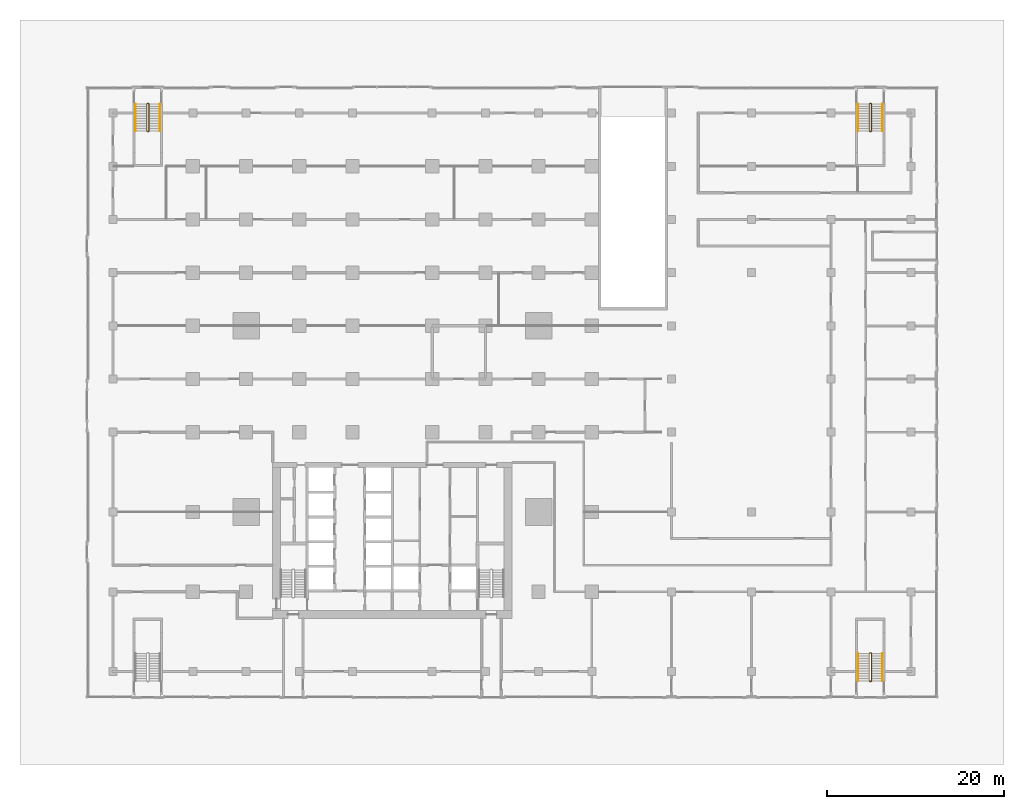
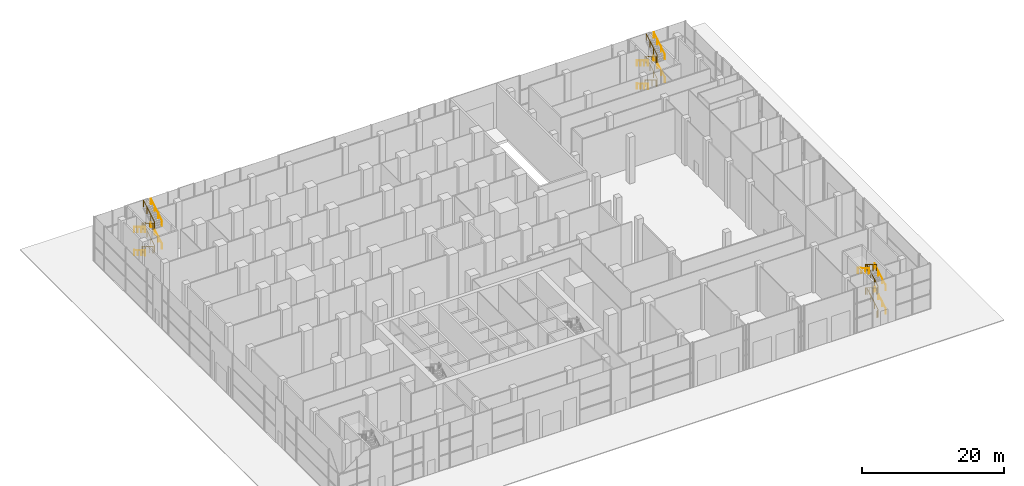
# One storey, part 29 of 29: 14 railings.
"""IFC4 building model written with IfcOpenShell, lengths in metres."""

from ifc_helpers import new_model, si_unit, direction, frame, origin, origin_2d, place, context, subcontext, project, spatial, circle, extrude, material, type_object, element, save


model = new_model("IFC4")

# Units and contexts
model_context = context("Model", 3, precision=1e-05, world=origin(), true_north=direction((0.0, 1.0)))
body_context = subcontext(model_context, "Body", "Model", "MODEL_VIEW")
ifc_project = project(units=[si_unit("LENGTHUNIT", "METRE"), si_unit("AREAUNIT", "SQUARE_METRE"), si_unit("VOLUMEUNIT", "CUBIC_METRE"), si_unit("PLANEANGLEUNIT", "RADIAN"), si_unit("MASSUNIT", "GRAM", prefix="KILO")], contexts=[model_context])

# Site, building, storey
site_placement = place(None, origin())
site = spatial("IfcSite", under=ifc_project, at=site_placement, CompositionType="ELEMENT")
building_placement = place(site_placement, origin())
building = spatial("IfcBuilding", under=site, at=building_placement, Name="Finial Court Residences", CompositionType="ELEMENT")
storey_placement = place(building_placement, origin())
storey = spatial("IfcBuildingStorey", under=building, at=storey_placement, Name="L00", CompositionType="ELEMENT", Elevation=0.0)

# Railings
ifc_material = material(Name="Stainless steel railing", Category="steel")
railing_type_1 = type_object("IfcRailingType", Name="Stair guard 1100", PredefinedType="GUARDRAIL", material=ifc_material)
railing_1_placement = place(storey_placement, frame((54.0, -32.60009765625, 0.0)))
element("IfcRailing", 1, at=railing_1_placement, inside=storey, type_object=railing_type_1, Name="L00 ST-3 stair guard 1", PredefinedType="GUARDRAIL", context=body_context, shape_type="SweptSolid", body=[
    extrude(circle(Radius=0.02392578125, at=origin_2d()), frame((0.0, 0.0, 1.076171875), z_axis=(-1.0, 0.0, 0.0), x_axis=(0.0, -1.0, 0.0)), (0.0, 0.0, 1.0), 0.14990234375),
    extrude(circle(Radius=0.02392578125, at=origin_2d()), frame((-0.14990234375, 0.0, 1.076171875), z_axis=(0.754182335027, 0.188775798145, 0.628945707965), x_axis=(-0.242814311512, 0.970072785993, 0.0)), (0.0, 0.0, 1.0), 0.26513671875),
    extrude(circle(Radius=0.02392578125, at=origin_2d()), frame((0.050048828125, 0.050048828125, 1.24267578125), z_axis=(0.0, 0.859308565015, 0.511457515432), x_axis=(-1.0, 0.0, 0.0)), (0.0, 0.0, 1.0), 3.58447265625),
    extrude(circle(Radius=0.02392578125, at=origin_2d()), frame((0.050048828125, 3.130126953125, 3.076171875), z_axis=(-0.707106781187, 0.707106781187, 0.0), x_axis=(-0.707106781187, -0.707106781187, 0.0)), (0.0, 0.0, 1.0), 0.07080078125),
    extrude(circle(Radius=0.02392578125, at=origin_2d()), frame((0.0, 3.18017578125, 3.076171875), z_axis=(-1.0, 0.0, 0.0), x_axis=(0.0, -1.0, 0.0)), (0.0, 0.0, 1.0), 0.14990234375),
    extrude(circle(Radius=0.02392578125, at=origin_2d()), frame((-0.14990234375, 3.18017578125, 3.076171875), z_axis=(-0.27628659633, -0.27628659633, 0.920506074601), x_axis=(0.707106781187, -0.707106781187, 0.0)), (0.0, 0.0, 1.0), 0.18115234375),
    extrude(circle(Radius=0.02392578125, at=origin_2d()), frame((-0.199951171875, 3.130126953125, 3.24267578125), z_axis=(0.0, -0.859308565015, 0.511457515432), x_axis=(1.0, 0.0, 0.0)), (0.0, 0.0, 1.0), 3.58447265625),
    extrude(circle(Radius=0.02392578125, at=origin_2d()), frame((-0.199951171875, 0.050048828125, 5.076171875), z_axis=(0.970072785993, -0.242814311512, 0.0), x_axis=(0.242814311512, 0.970072785993, 0.0)), (0.0, 0.0, 1.0), 0.2060546875),
    extrude(circle(Radius=0.02392578125, at=origin_2d()), frame((0.0, 0.0, 5.076171875), z_axis=(-1.0, 0.0, 0.0), x_axis=(0.0, -1.0, 0.0)), (0.0, 0.0, 1.0), 0.14990234375),
    extrude(circle(Radius=0.02392578125, at=origin_2d()), frame((-0.14990234375, 0.0, 5.076171875), z_axis=(0.754182335027, 0.188775798145, 0.628945707965), x_axis=(-0.242814311512, 0.970072785993, 0.0)), (0.0, 0.0, 1.0), 0.26513671875),
    extrude(circle(Radius=0.02392578125, at=origin_2d()), frame((0.050048828125, 0.050048828125, 5.24267578125), z_axis=(0.0, 0.859308565015, 0.511457515432), x_axis=(-1.0, 0.0, 0.0)), (0.0, 0.0, 1.0), 3.58447265625),
    extrude(circle(Radius=0.02392578125, at=origin_2d()), frame((0.050048828125, 3.130126953125, 7.076171875), z_axis=(-0.707106781187, 0.707106781187, 0.0), x_axis=(-0.707106781187, -0.707106781187, 0.0)), (0.0, 0.0, 1.0), 0.07080078125),
    extrude(circle(Radius=0.02392578125, at=origin_2d()), frame((0.0, 3.18017578125, 7.076171875), z_axis=(-1.0, 0.0, 0.0), x_axis=(0.0, -1.0, 0.0)), (0.0, 0.0, 1.0), 0.14990234375),
    extrude(circle(Radius=0.02392578125, at=origin_2d()), frame((-0.14990234375, 3.18017578125, 7.076171875), z_axis=(-0.27628659633, -0.27628659633, 0.920506074601), x_axis=(0.707106781187, -0.707106781187, 0.0)), (0.0, 0.0, 1.0), 0.18115234375),
    extrude(circle(Radius=0.02392578125, at=origin_2d()), frame((-0.199951171875, 3.130126953125, 7.24267578125), z_axis=(0.0, -0.859308565015, 0.511457515432), x_axis=(1.0, 0.0, 0.0)), (0.0, 0.0, 1.0), 3.58447265625),
    extrude(circle(Radius=0.02099609375, at=origin_2d()), origin(), (0.0, 0.0, 1.0), 1.052001953125),
    extrude(circle(Radius=0.02099609375, at=origin_2d()), frame((-0.14990234375, 0.0, 0.0)), (0.0, 0.0, 1.0), 1.052001953125),
    extrude(circle(Radius=0.02099609375, at=origin_2d()), frame((0.050048828125, 0.050048828125, 0.166748046875)), (0.0, 0.0, 1.0), 1.052001953125),
    extrude(circle(Radius=0.02099609375, at=origin_2d()), frame((0.050048828125, 1.07666015625, 0.77783203125)), (0.0, 0.0, 1.0), 1.052001953125),
    extrude(circle(Radius=0.02099609375, at=origin_2d()), frame((0.050048828125, 2.103515625, 1.388916015625)), (0.0, 0.0, 1.0), 1.052001953125),
    extrude(circle(Radius=0.02099609375, at=origin_2d()), frame((0.050048828125, 3.130126953125, 2.0)), (0.0, 0.0, 1.0), 1.052001953125),
    extrude(circle(Radius=0.02099609375, at=origin_2d()), frame((0.0, 3.18017578125, 2.0)), (0.0, 0.0, 1.0), 1.052001953125),
    extrude(circle(Radius=0.02099609375, at=origin_2d()), frame((-0.14990234375, 3.18017578125, 2.0)), (0.0, 0.0, 1.0), 1.052001953125),
    extrude(circle(Radius=0.02099609375, at=origin_2d()), frame((-0.199951171875, 3.130126953125, 2.166748046875)), (0.0, 0.0, 1.0), 1.052001953125),
    extrude(circle(Radius=0.02099609375, at=origin_2d()), frame((-0.199951171875, 2.103515625, 2.77783203125)), (0.0, 0.0, 1.0), 1.052001953125),
    extrude(circle(Radius=0.02099609375, at=origin_2d()), frame((-0.199951171875, 1.07666015625, 3.388916015625)), (0.0, 0.0, 1.0), 1.052001953125),
    extrude(circle(Radius=0.02099609375, at=origin_2d()), frame((-0.199951171875, 0.050048828125, 4.0)), (0.0, 0.0, 1.0), 1.052001953125),
    extrude(circle(Radius=0.02099609375, at=origin_2d()), frame((0.0, 0.0, 4.0)), (0.0, 0.0, 1.0), 1.052001953125),
    extrude(circle(Radius=0.02099609375, at=origin_2d()), frame((-0.14990234375, 0.0, 4.0)), (0.0, 0.0, 1.0), 1.052001953125),
    extrude(circle(Radius=0.02099609375, at=origin_2d()), frame((0.050048828125, 0.050048828125, 4.166748046875)), (0.0, 0.0, 1.0), 1.052001953125),
    extrude(circle(Radius=0.02099609375, at=origin_2d()), frame((0.050048828125, 1.07666015625, 4.77783203125)), (0.0, 0.0, 1.0), 1.052001953125),
    extrude(circle(Radius=0.02099609375, at=origin_2d()), frame((0.050048828125, 2.103515625, 5.388916015625)), (0.0, 0.0, 1.0), 1.052001953125),
    extrude(circle(Radius=0.02099609375, at=origin_2d()), frame((0.050048828125, 3.130126953125, 6.0)), (0.0, 0.0, 1.0), 1.052001953125),
    extrude(circle(Radius=0.02099609375, at=origin_2d()), frame((0.0, 3.18017578125, 6.0)), (0.0, 0.0, 1.0), 1.052001953125),
    extrude(circle(Radius=0.02099609375, at=origin_2d()), frame((-0.14990234375, 3.18017578125, 6.0)), (0.0, 0.0, 1.0), 1.052001953125),
    extrude(circle(Radius=0.02099609375, at=origin_2d()), frame((-0.199951171875, 3.130126953125, 6.166748046875)), (0.0, 0.0, 1.0), 1.052001953125),
    extrude(circle(Radius=0.02099609375, at=origin_2d()), frame((-0.199951171875, 2.103515625, 6.77783203125)), (0.0, 0.0, 1.0), 1.052001953125),
    extrude(circle(Radius=0.02099609375, at=origin_2d()), frame((-0.199951171875, 1.07666015625, 7.388916015625)), (0.0, 0.0, 1.0), 1.052001953125),
    extrude(circle(Radius=0.02099609375, at=origin_2d()), frame((-0.199951171875, 0.050048828125, 8.0)), (0.0, 0.0, 1.0), 1.052001953125),
])
railing_2_placement = place(storey_placement, frame((53.85009765625, 32.60009765625, 0.0)))
element("IfcRailing", 2, at=railing_2_placement, inside=storey, type_object=railing_type_1, Name="L00 ST-5 stair guard 1", PredefinedType="GUARDRAIL", context=body_context, shape_type="SweptSolid", body=[
    extrude(circle(Radius=0.02392578125, at=origin_2d()), frame((0.0, 0.0, 1.076171875), z_axis=(1.0, 0.0, 0.0), x_axis=(0.0, 1.0, 0.0)), (0.0, 0.0, 1.0), 0.14990234375),
    extrude(circle(Radius=0.02392578125, at=origin_2d()), frame((0.14990234375, 0.0, 1.076171875), z_axis=(-0.754182335027, -0.188775798145, 0.628945707965), x_axis=(0.242814311512, -0.970072785993, 0.0)), (0.0, 0.0, 1.0), 0.26513671875),
    extrude(circle(Radius=0.02392578125, at=origin_2d()), frame((-0.050048828125, -0.050048828125, 1.24267578125), z_axis=(0.0, -0.859308565015, 0.511457515432), x_axis=(1.0, 0.0, 0.0)), (0.0, 0.0, 1.0), 3.58447265625),
    extrude(circle(Radius=0.02392578125, at=origin_2d()), frame((-0.050048828125, -3.130126953125, 3.076171875), z_axis=(0.707106781187, -0.707106781187, 0.0), x_axis=(0.707106781187, 0.707106781187, 0.0)), (0.0, 0.0, 1.0), 0.07080078125),
    extrude(circle(Radius=0.02392578125, at=origin_2d()), frame((0.0, -3.18017578125, 3.076171875), z_axis=(1.0, 0.0, 0.0), x_axis=(0.0, 1.0, 0.0)), (0.0, 0.0, 1.0), 0.14990234375),
    extrude(circle(Radius=0.02392578125, at=origin_2d()), frame((0.14990234375, -3.18017578125, 3.076171875), z_axis=(0.27628659633, 0.27628659633, 0.920506074601), x_axis=(-0.707106781187, 0.707106781187, 0.0)), (0.0, 0.0, 1.0), 0.18115234375),
    extrude(circle(Radius=0.02392578125, at=origin_2d()), frame((0.199951171875, -3.130126953125, 3.24267578125), z_axis=(0.0, 0.859308565015, 0.511457515432), x_axis=(-1.0, 0.0, 0.0)), (0.0, 0.0, 1.0), 3.58447265625),
    extrude(circle(Radius=0.02392578125, at=origin_2d()), frame((0.199951171875, -0.050048828125, 5.076171875), z_axis=(-0.970072785993, 0.242814311512, 0.0), x_axis=(-0.242814311512, -0.970072785993, 0.0)), (0.0, 0.0, 1.0), 0.2060546875),
    extrude(circle(Radius=0.02392578125, at=origin_2d()), frame((0.0, 0.0, 5.076171875), z_axis=(1.0, 0.0, 0.0), x_axis=(0.0, 1.0, 0.0)), (0.0, 0.0, 1.0), 0.14990234375),
    extrude(circle(Radius=0.02392578125, at=origin_2d()), frame((0.14990234375, 0.0, 5.076171875), z_axis=(-0.754182335027, -0.188775798145, 0.628945707965), x_axis=(0.242814311512, -0.970072785993, 0.0)), (0.0, 0.0, 1.0), 0.26513671875),
    extrude(circle(Radius=0.02392578125, at=origin_2d()), frame((-0.050048828125, -0.050048828125, 5.24267578125), z_axis=(0.0, -0.859308565015, 0.511457515432), x_axis=(1.0, 0.0, 0.0)), (0.0, 0.0, 1.0), 3.58447265625),
    extrude(circle(Radius=0.02392578125, at=origin_2d()), frame((-0.050048828125, -3.130126953125, 7.076171875), z_axis=(0.707106781187, -0.707106781187, 0.0), x_axis=(0.707106781187, 0.707106781187, 0.0)), (0.0, 0.0, 1.0), 0.07080078125),
    extrude(circle(Radius=0.02392578125, at=origin_2d()), frame((0.0, -3.18017578125, 7.076171875), z_axis=(1.0, 0.0, 0.0), x_axis=(0.0, 1.0, 0.0)), (0.0, 0.0, 1.0), 0.14990234375),
    extrude(circle(Radius=0.02392578125, at=origin_2d()), frame((0.14990234375, -3.18017578125, 7.076171875), z_axis=(0.27628659633, 0.27628659633, 0.920506074601), x_axis=(-0.707106781187, 0.707106781187, 0.0)), (0.0, 0.0, 1.0), 0.18115234375),
    extrude(circle(Radius=0.02392578125, at=origin_2d()), frame((0.199951171875, -3.130126953125, 7.24267578125), z_axis=(0.0, 0.859308565015, 0.511457515432), x_axis=(-1.0, 0.0, 0.0)), (0.0, 0.0, 1.0), 3.58447265625),
    extrude(circle(Radius=0.02099609375, at=origin_2d()), origin(), (0.0, 0.0, 1.0), 1.052001953125),
    extrude(circle(Radius=0.02099609375, at=origin_2d()), frame((0.14990234375, 0.0, 0.0)), (0.0, 0.0, 1.0), 1.052001953125),
    extrude(circle(Radius=0.02099609375, at=origin_2d()), frame((-0.050048828125, -0.050048828125, 0.166748046875)), (0.0, 0.0, 1.0), 1.052001953125),
    extrude(circle(Radius=0.02099609375, at=origin_2d()), frame((-0.050048828125, -1.07666015625, 0.77783203125)), (0.0, 0.0, 1.0), 1.052001953125),
    extrude(circle(Radius=0.02099609375, at=origin_2d()), frame((-0.050048828125, -2.103515625, 1.388916015625)), (0.0, 0.0, 1.0), 1.052001953125),
    extrude(circle(Radius=0.02099609375, at=origin_2d()), frame((-0.050048828125, -3.130126953125, 2.0)), (0.0, 0.0, 1.0), 1.052001953125),
    extrude(circle(Radius=0.02099609375, at=origin_2d()), frame((0.0, -3.18017578125, 2.0)), (0.0, 0.0, 1.0), 1.052001953125),
    extrude(circle(Radius=0.02099609375, at=origin_2d()), frame((0.14990234375, -3.18017578125, 2.0)), (0.0, 0.0, 1.0), 1.052001953125),
    extrude(circle(Radius=0.02099609375, at=origin_2d()), frame((0.199951171875, -3.130126953125, 2.166748046875)), (0.0, 0.0, 1.0), 1.052001953125),
    extrude(circle(Radius=0.02099609375, at=origin_2d()), frame((0.199951171875, -2.103515625, 2.77783203125)), (0.0, 0.0, 1.0), 1.052001953125),
    extrude(circle(Radius=0.02099609375, at=origin_2d()), frame((0.199951171875, -1.07666015625, 3.388916015625)), (0.0, 0.0, 1.0), 1.052001953125),
    extrude(circle(Radius=0.02099609375, at=origin_2d()), frame((0.199951171875, -0.050048828125, 4.0)), (0.0, 0.0, 1.0), 1.052001953125),
    extrude(circle(Radius=0.02099609375, at=origin_2d()), frame((0.0, 0.0, 4.0)), (0.0, 0.0, 1.0), 1.052001953125),
    extrude(circle(Radius=0.02099609375, at=origin_2d()), frame((0.14990234375, 0.0, 4.0)), (0.0, 0.0, 1.0), 1.052001953125),
    extrude(circle(Radius=0.02099609375, at=origin_2d()), frame((-0.050048828125, -0.050048828125, 4.166748046875)), (0.0, 0.0, 1.0), 1.052001953125),
    extrude(circle(Radius=0.02099609375, at=origin_2d()), frame((-0.050048828125, -1.07666015625, 4.77783203125)), (0.0, 0.0, 1.0), 1.052001953125),
    extrude(circle(Radius=0.02099609375, at=origin_2d()), frame((-0.050048828125, -2.103515625, 5.388916015625)), (0.0, 0.0, 1.0), 1.052001953125),
    extrude(circle(Radius=0.02099609375, at=origin_2d()), frame((-0.050048828125, -3.130126953125, 6.0)), (0.0, 0.0, 1.0), 1.052001953125),
    extrude(circle(Radius=0.02099609375, at=origin_2d()), frame((0.0, -3.18017578125, 6.0)), (0.0, 0.0, 1.0), 1.052001953125),
    extrude(circle(Radius=0.02099609375, at=origin_2d()), frame((0.14990234375, -3.18017578125, 6.0)), (0.0, 0.0, 1.0), 1.052001953125),
    extrude(circle(Radius=0.02099609375, at=origin_2d()), frame((0.199951171875, -3.130126953125, 6.166748046875)), (0.0, 0.0, 1.0), 1.052001953125),
    extrude(circle(Radius=0.02099609375, at=origin_2d()), frame((0.199951171875, -2.103515625, 6.77783203125)), (0.0, 0.0, 1.0), 1.052001953125),
    extrude(circle(Radius=0.02099609375, at=origin_2d()), frame((0.199951171875, -1.07666015625, 7.388916015625)), (0.0, 0.0, 1.0), 1.052001953125),
    extrude(circle(Radius=0.02099609375, at=origin_2d()), frame((0.199951171875, -0.050048828125, 8.0)), (0.0, 0.0, 1.0), 1.052001953125),
])
railing_3_placement = place(storey_placement, frame((-27.64990234375, 32.60009765625, 0.0)))
element("IfcRailing", 3, at=railing_3_placement, inside=storey, type_object=railing_type_1, Name="L00 ST-6 stair guard 1", PredefinedType="GUARDRAIL", context=body_context, shape_type="SweptSolid", body=[
    extrude(circle(Radius=0.02392578125, at=origin_2d()), frame((0.0, 0.0, 1.076171875), z_axis=(1.0, 0.0, 0.0), x_axis=(0.0, 1.0, 0.0)), (0.0, 0.0, 1.0), 0.14990234375),
    extrude(circle(Radius=0.02392578125, at=origin_2d()), frame((0.14990234375, 0.0, 1.076171875), z_axis=(-0.754182335027, -0.188775798145, 0.628945707965), x_axis=(0.242814311512, -0.970072785993, 0.0)), (0.0, 0.0, 1.0), 0.26513671875),
    extrude(circle(Radius=0.02392578125, at=origin_2d()), frame((-0.050048828125, -0.050048828125, 1.24267578125), z_axis=(0.0, -0.859308565015, 0.511457515432), x_axis=(1.0, 0.0, 0.0)), (0.0, 0.0, 1.0), 3.58447265625),
    extrude(circle(Radius=0.02392578125, at=origin_2d()), frame((-0.050048828125, -3.130126953125, 3.076171875), z_axis=(0.707106781187, -0.707106781187, 0.0), x_axis=(0.707106781187, 0.707106781187, 0.0)), (0.0, 0.0, 1.0), 0.07080078125),
    extrude(circle(Radius=0.02392578125, at=origin_2d()), frame((0.0, -3.18017578125, 3.076171875), z_axis=(1.0, 0.0, 0.0), x_axis=(0.0, 1.0, 0.0)), (0.0, 0.0, 1.0), 0.14990234375),
    extrude(circle(Radius=0.02392578125, at=origin_2d()), frame((0.14990234375, -3.18017578125, 3.076171875), z_axis=(0.27628659633, 0.27628659633, 0.920506074601), x_axis=(-0.707106781187, 0.707106781187, 0.0)), (0.0, 0.0, 1.0), 0.18115234375),
    extrude(circle(Radius=0.02392578125, at=origin_2d()), frame((0.199951171875, -3.130126953125, 3.24267578125), z_axis=(0.0, 0.859308565015, 0.511457515432), x_axis=(-1.0, 0.0, 0.0)), (0.0, 0.0, 1.0), 3.58447265625),
    extrude(circle(Radius=0.02392578125, at=origin_2d()), frame((0.199951171875, -0.050048828125, 5.076171875), z_axis=(-0.970072785993, 0.242814311512, 0.0), x_axis=(-0.242814311512, -0.970072785993, 0.0)), (0.0, 0.0, 1.0), 0.2060546875),
    extrude(circle(Radius=0.02392578125, at=origin_2d()), frame((0.0, 0.0, 5.076171875), z_axis=(1.0, 0.0, 0.0), x_axis=(0.0, 1.0, 0.0)), (0.0, 0.0, 1.0), 0.14990234375),
    extrude(circle(Radius=0.02392578125, at=origin_2d()), frame((0.14990234375, 0.0, 5.076171875), z_axis=(-0.754182335027, -0.188775798145, 0.628945707965), x_axis=(0.242814311512, -0.970072785993, 0.0)), (0.0, 0.0, 1.0), 0.26513671875),
    extrude(circle(Radius=0.02392578125, at=origin_2d()), frame((-0.050048828125, -0.050048828125, 5.24267578125), z_axis=(0.0, -0.859308565015, 0.511457515432), x_axis=(1.0, 0.0, 0.0)), (0.0, 0.0, 1.0), 3.58447265625),
    extrude(circle(Radius=0.02392578125, at=origin_2d()), frame((-0.050048828125, -3.130126953125, 7.076171875), z_axis=(0.707106781187, -0.707106781187, 0.0), x_axis=(0.707106781187, 0.707106781187, 0.0)), (0.0, 0.0, 1.0), 0.07080078125),
    extrude(circle(Radius=0.02392578125, at=origin_2d()), frame((0.0, -3.18017578125, 7.076171875), z_axis=(1.0, 0.0, 0.0), x_axis=(0.0, 1.0, 0.0)), (0.0, 0.0, 1.0), 0.14990234375),
    extrude(circle(Radius=0.02392578125, at=origin_2d()), frame((0.14990234375, -3.18017578125, 7.076171875), z_axis=(0.27628659633, 0.27628659633, 0.920506074601), x_axis=(-0.707106781187, 0.707106781187, 0.0)), (0.0, 0.0, 1.0), 0.18115234375),
    extrude(circle(Radius=0.02392578125, at=origin_2d()), frame((0.199951171875, -3.130126953125, 7.24267578125), z_axis=(0.0, 0.859308565015, 0.511457515432), x_axis=(-1.0, 0.0, 0.0)), (0.0, 0.0, 1.0), 3.58447265625),
    extrude(circle(Radius=0.02099609375, at=origin_2d()), origin(), (0.0, 0.0, 1.0), 1.052001953125),
    extrude(circle(Radius=0.02099609375, at=origin_2d()), frame((0.14990234375, 0.0, 0.0)), (0.0, 0.0, 1.0), 1.052001953125),
    extrude(circle(Radius=0.02099609375, at=origin_2d()), frame((-0.050048828125, -0.050048828125, 0.166748046875)), (0.0, 0.0, 1.0), 1.052001953125),
    extrude(circle(Radius=0.02099609375, at=origin_2d()), frame((-0.050048828125, -1.07666015625, 0.77783203125)), (0.0, 0.0, 1.0), 1.052001953125),
    extrude(circle(Radius=0.02099609375, at=origin_2d()), frame((-0.050048828125, -2.103515625, 1.388916015625)), (0.0, 0.0, 1.0), 1.052001953125),
    extrude(circle(Radius=0.02099609375, at=origin_2d()), frame((-0.050048828125, -3.130126953125, 2.0)), (0.0, 0.0, 1.0), 1.052001953125),
    extrude(circle(Radius=0.02099609375, at=origin_2d()), frame((0.0, -3.18017578125, 2.0)), (0.0, 0.0, 1.0), 1.052001953125),
    extrude(circle(Radius=0.02099609375, at=origin_2d()), frame((0.14990234375, -3.18017578125, 2.0)), (0.0, 0.0, 1.0), 1.052001953125),
    extrude(circle(Radius=0.02099609375, at=origin_2d()), frame((0.199951171875, -3.130126953125, 2.166748046875)), (0.0, 0.0, 1.0), 1.052001953125),
    extrude(circle(Radius=0.02099609375, at=origin_2d()), frame((0.199951171875, -2.103515625, 2.77783203125)), (0.0, 0.0, 1.0), 1.052001953125),
    extrude(circle(Radius=0.02099609375, at=origin_2d()), frame((0.199951171875, -1.07666015625, 3.388916015625)), (0.0, 0.0, 1.0), 1.052001953125),
    extrude(circle(Radius=0.02099609375, at=origin_2d()), frame((0.199951171875, -0.050048828125, 4.0)), (0.0, 0.0, 1.0), 1.052001953125),
    extrude(circle(Radius=0.02099609375, at=origin_2d()), frame((0.0, 0.0, 4.0)), (0.0, 0.0, 1.0), 1.052001953125),
    extrude(circle(Radius=0.02099609375, at=origin_2d()), frame((0.14990234375, 0.0, 4.0)), (0.0, 0.0, 1.0), 1.052001953125),
    extrude(circle(Radius=0.02099609375, at=origin_2d()), frame((-0.050048828125, -0.050048828125, 4.166748046875)), (0.0, 0.0, 1.0), 1.052001953125),
    extrude(circle(Radius=0.02099609375, at=origin_2d()), frame((-0.050048828125, -1.07666015625, 4.77783203125)), (0.0, 0.0, 1.0), 1.052001953125),
    extrude(circle(Radius=0.02099609375, at=origin_2d()), frame((-0.050048828125, -2.103515625, 5.388916015625)), (0.0, 0.0, 1.0), 1.052001953125),
    extrude(circle(Radius=0.02099609375, at=origin_2d()), frame((-0.050048828125, -3.130126953125, 6.0)), (0.0, 0.0, 1.0), 1.052001953125),
    extrude(circle(Radius=0.02099609375, at=origin_2d()), frame((0.0, -3.18017578125, 6.0)), (0.0, 0.0, 1.0), 1.052001953125),
    extrude(circle(Radius=0.02099609375, at=origin_2d()), frame((0.14990234375, -3.18017578125, 6.0)), (0.0, 0.0, 1.0), 1.052001953125),
    extrude(circle(Radius=0.02099609375, at=origin_2d()), frame((0.199951171875, -3.130126953125, 6.166748046875)), (0.0, 0.0, 1.0), 1.052001953125),
    extrude(circle(Radius=0.02099609375, at=origin_2d()), frame((0.199951171875, -2.103515625, 6.77783203125)), (0.0, 0.0, 1.0), 1.052001953125),
    extrude(circle(Radius=0.02099609375, at=origin_2d()), frame((0.199951171875, -1.07666015625, 7.388916015625)), (0.0, 0.0, 1.0), 1.052001953125),
    extrude(circle(Radius=0.02099609375, at=origin_2d()), frame((0.199951171875, -0.050048828125, 8.0)), (0.0, 0.0, 1.0), 1.052001953125),
])
railing_type_2 = type_object("IfcRailingType", Name="Stair handrail 900", PredefinedType="HANDRAIL", material=ifc_material)
for number, where, name in (
    (4, (55.300048828125, -32.550048828125, 0.166748046875), "L00 ST-3 stair handrail 1"),
    (5, (55.300048828125, -32.550048828125, 4.166748046875), "L00 ST-3 stair handrail 3"),
):
    element("IfcRailing", number, at=place(storey_placement, frame(where)), inside=storey, type_object=railing_type_2, Name=name, PredefinedType="HANDRAIL", context=body_context, shape_type="SweptSolid", body=[
        extrude(circle(Radius=0.02392578125, at=origin_2d()), frame((0.0, 0.0, 0.8759765625), z_axis=(0.0, 0.859308565015, 0.511457515432), x_axis=(-1.0, 0.0, 0.0)), (0.0, 0.0, 1.0), 3.58447265625),
        extrude(circle(Radius=0.02099609375, at=origin_2d()), origin(), (0.0, 0.0, 1.0), 0.851806640625),
        extrude(circle(Radius=0.02099609375, at=origin_2d()), frame((0.0, 1.026611328125, 0.611083984375)), (0.0, 0.0, 1.0), 0.851806640625),
        extrude(circle(Radius=0.02099609375, at=origin_2d()), frame((0.0, 2.053466796875, 1.22216796875)), (0.0, 0.0, 1.0), 0.851806640625),
        extrude(circle(Radius=0.02099609375, at=origin_2d()), frame((0.0, 3.080078125, 1.833251953125)), (0.0, 0.0, 1.0), 0.851806640625),
    ])
for number, where, name in (
    (6, (52.550048828125, -29.469970703125, 6.166748046875), "L00 ST-3 stair handrail 4"),
    (7, (52.550048828125, 32.550048828125, 0.166748046875), "L00 ST-5 stair handrail 1"),
):
    element("IfcRailing", number, at=place(storey_placement, frame(where)), inside=storey, type_object=railing_type_2, Name=name, PredefinedType="HANDRAIL", context=body_context, shape_type="SweptSolid", body=[
        extrude(circle(Radius=0.02392578125, at=origin_2d()), frame((0.0, 0.0, 0.8759765625), z_axis=(0.0, -0.859308565015, 0.511457515432), x_axis=(1.0, 0.0, 0.0)), (0.0, 0.0, 1.0), 3.58447265625),
        extrude(circle(Radius=0.02099609375, at=origin_2d()), origin(), (0.0, 0.0, 1.0), 0.851806640625),
        extrude(circle(Radius=0.02099609375, at=origin_2d()), frame((0.0, -1.026611328125, 0.611083984375)), (0.0, 0.0, 1.0), 0.851806640625),
        extrude(circle(Radius=0.02099609375, at=origin_2d()), frame((0.0, -2.053466796875, 1.22216796875)), (0.0, 0.0, 1.0), 0.851806640625),
        extrude(circle(Radius=0.02099609375, at=origin_2d()), frame((0.0, -3.080078125, 1.833251953125)), (0.0, 0.0, 1.0), 0.851806640625),
    ])
railing_4_placement = place(storey_placement, frame((55.300048828125, 29.469970703125, 2.166748046875)))
element("IfcRailing", 8, at=railing_4_placement, inside=storey, type_object=railing_type_2, Name="L00 ST-5 stair handrail 2", PredefinedType="HANDRAIL", context=body_context, shape_type="SweptSolid", body=[
    extrude(circle(Radius=0.02392578125, at=origin_2d()), frame((0.0, 0.0, 0.8759765625), z_axis=(0.0, 0.859308565015, 0.511457515432), x_axis=(-1.0, 0.0, 0.0)), (0.0, 0.0, 1.0), 3.58447265625),
    extrude(circle(Radius=0.02099609375, at=origin_2d()), origin(), (0.0, 0.0, 1.0), 0.851806640625),
    extrude(circle(Radius=0.02099609375, at=origin_2d()), frame((0.0, 1.026611328125, 0.611083984375)), (0.0, 0.0, 1.0), 0.851806640625),
    extrude(circle(Radius=0.02099609375, at=origin_2d()), frame((0.0, 2.053466796875, 1.22216796875)), (0.0, 0.0, 1.0), 0.851806640625),
    extrude(circle(Radius=0.02099609375, at=origin_2d()), frame((0.0, 3.080078125, 1.833251953125)), (0.0, 0.0, 1.0), 0.851806640625),
])
railing_5_placement = place(storey_placement, frame((52.550048828125, 32.550048828125, 4.166748046875)))
element("IfcRailing", 9, at=railing_5_placement, inside=storey, type_object=railing_type_2, Name="L00 ST-5 stair handrail 3", PredefinedType="HANDRAIL", context=body_context, shape_type="SweptSolid", body=[
    extrude(circle(Radius=0.02392578125, at=origin_2d()), frame((0.0, 0.0, 0.8759765625), z_axis=(0.0, -0.859308565015, 0.511457515432), x_axis=(1.0, 0.0, 0.0)), (0.0, 0.0, 1.0), 3.58447265625),
    extrude(circle(Radius=0.02099609375, at=origin_2d()), origin(), (0.0, 0.0, 1.0), 0.851806640625),
    extrude(circle(Radius=0.02099609375, at=origin_2d()), frame((0.0, -1.026611328125, 0.611083984375)), (0.0, 0.0, 1.0), 0.851806640625),
    extrude(circle(Radius=0.02099609375, at=origin_2d()), frame((0.0, -2.053466796875, 1.22216796875)), (0.0, 0.0, 1.0), 0.851806640625),
    extrude(circle(Radius=0.02099609375, at=origin_2d()), frame((0.0, -3.080078125, 1.833251953125)), (0.0, 0.0, 1.0), 0.851806640625),
])
railing_6_placement = place(storey_placement, frame((55.300048828125, 29.469970703125, 6.166748046875)))
element("IfcRailing", 10, at=railing_6_placement, inside=storey, type_object=railing_type_2, Name="L00 ST-5 stair handrail 4", PredefinedType="HANDRAIL", context=body_context, shape_type="SweptSolid", body=[
    extrude(circle(Radius=0.02392578125, at=origin_2d()), frame((0.0, 0.0, 0.8759765625), z_axis=(0.0, 0.859308565015, 0.511457515432), x_axis=(-1.0, 0.0, 0.0)), (0.0, 0.0, 1.0), 3.58447265625),
    extrude(circle(Radius=0.02099609375, at=origin_2d()), origin(), (0.0, 0.0, 1.0), 0.851806640625),
    extrude(circle(Radius=0.02099609375, at=origin_2d()), frame((0.0, 1.026611328125, 0.611083984375)), (0.0, 0.0, 1.0), 0.851806640625),
    extrude(circle(Radius=0.02099609375, at=origin_2d()), frame((0.0, 2.053466796875, 1.22216796875)), (0.0, 0.0, 1.0), 0.851806640625),
    extrude(circle(Radius=0.02099609375, at=origin_2d()), frame((0.0, 3.080078125, 1.833251953125)), (0.0, 0.0, 1.0), 0.851806640625),
])
railing_7_placement = place(storey_placement, frame((-28.949951171875, 32.550048828125, 0.166748046875)))
element("IfcRailing", 11, at=railing_7_placement, inside=storey, type_object=railing_type_2, Name="L00 ST-6 stair handrail 1", PredefinedType="HANDRAIL", context=body_context, shape_type="SweptSolid", body=[
    extrude(circle(Radius=0.02392578125, at=origin_2d()), frame((0.0, 0.0, 0.8759765625), z_axis=(0.0, -0.859308565015, 0.511457515432), x_axis=(1.0, 0.0, 0.0)), (0.0, 0.0, 1.0), 3.58447265625),
    extrude(circle(Radius=0.02099609375, at=origin_2d()), origin(), (0.0, 0.0, 1.0), 0.851806640625),
    extrude(circle(Radius=0.02099609375, at=origin_2d()), frame((0.0, -1.026611328125, 0.611083984375)), (0.0, 0.0, 1.0), 0.851806640625),
    extrude(circle(Radius=0.02099609375, at=origin_2d()), frame((0.0, -2.053466796875, 1.22216796875)), (0.0, 0.0, 1.0), 0.851806640625),
    extrude(circle(Radius=0.02099609375, at=origin_2d()), frame((0.0, -3.080078125, 1.833251953125)), (0.0, 0.0, 1.0), 0.851806640625),
])
railing_8_placement = place(storey_placement, frame((-26.199951171875, 29.469970703125, 2.166748046875)))
element("IfcRailing", 12, at=railing_8_placement, inside=storey, type_object=railing_type_2, Name="L00 ST-6 stair handrail 2", PredefinedType="HANDRAIL", context=body_context, shape_type="SweptSolid", body=[
    extrude(circle(Radius=0.02392578125, at=origin_2d()), frame((0.0, 0.0, 0.8759765625), z_axis=(0.0, 0.859308565015, 0.511457515432), x_axis=(-1.0, 0.0, 0.0)), (0.0, 0.0, 1.0), 3.58447265625),
    extrude(circle(Radius=0.02099609375, at=origin_2d()), origin(), (0.0, 0.0, 1.0), 0.851806640625),
    extrude(circle(Radius=0.02099609375, at=origin_2d()), frame((0.0, 1.026611328125, 0.611083984375)), (0.0, 0.0, 1.0), 0.851806640625),
    extrude(circle(Radius=0.02099609375, at=origin_2d()), frame((0.0, 2.053466796875, 1.22216796875)), (0.0, 0.0, 1.0), 0.851806640625),
    extrude(circle(Radius=0.02099609375, at=origin_2d()), frame((0.0, 3.080078125, 1.833251953125)), (0.0, 0.0, 1.0), 0.851806640625),
])
railing_9_placement = place(storey_placement, frame((-28.949951171875, 32.550048828125, 4.166748046875)))
element("IfcRailing", 13, at=railing_9_placement, inside=storey, type_object=railing_type_2, Name="L00 ST-6 stair handrail 3", PredefinedType="HANDRAIL", context=body_context, shape_type="SweptSolid", body=[
    extrude(circle(Radius=0.02392578125, at=origin_2d()), frame((0.0, 0.0, 0.8759765625), z_axis=(0.0, -0.859308565015, 0.511457515432), x_axis=(1.0, 0.0, 0.0)), (0.0, 0.0, 1.0), 3.58447265625),
    extrude(circle(Radius=0.02099609375, at=origin_2d()), origin(), (0.0, 0.0, 1.0), 0.851806640625),
    extrude(circle(Radius=0.02099609375, at=origin_2d()), frame((0.0, -1.026611328125, 0.611083984375)), (0.0, 0.0, 1.0), 0.851806640625),
    extrude(circle(Radius=0.02099609375, at=origin_2d()), frame((0.0, -2.053466796875, 1.22216796875)), (0.0, 0.0, 1.0), 0.851806640625),
    extrude(circle(Radius=0.02099609375, at=origin_2d()), frame((0.0, -3.080078125, 1.833251953125)), (0.0, 0.0, 1.0), 0.851806640625),
])
railing_10_placement = place(storey_placement, frame((-26.199951171875, 29.469970703125, 6.166748046875)))
element("IfcRailing", 14, at=railing_10_placement, inside=storey, type_object=railing_type_2, Name="L00 ST-6 stair handrail 4", PredefinedType="HANDRAIL", context=body_context, shape_type="SweptSolid", body=[
    extrude(circle(Radius=0.02392578125, at=origin_2d()), frame((0.0, 0.0, 0.8759765625), z_axis=(0.0, 0.859308565015, 0.511457515432), x_axis=(-1.0, 0.0, 0.0)), (0.0, 0.0, 1.0), 3.58447265625),
    extrude(circle(Radius=0.02099609375, at=origin_2d()), origin(), (0.0, 0.0, 1.0), 0.851806640625),
    extrude(circle(Radius=0.02099609375, at=origin_2d()), frame((0.0, 1.026611328125, 0.611083984375)), (0.0, 0.0, 1.0), 0.851806640625),
    extrude(circle(Radius=0.02099609375, at=origin_2d()), frame((0.0, 2.053466796875, 1.22216796875)), (0.0, 0.0, 1.0), 0.851806640625),
    extrude(circle(Radius=0.02099609375, at=origin_2d()), frame((0.0, 3.080078125, 1.833251953125)), (0.0, 0.0, 1.0), 0.851806640625),
])

save(model, "model.ifc")
